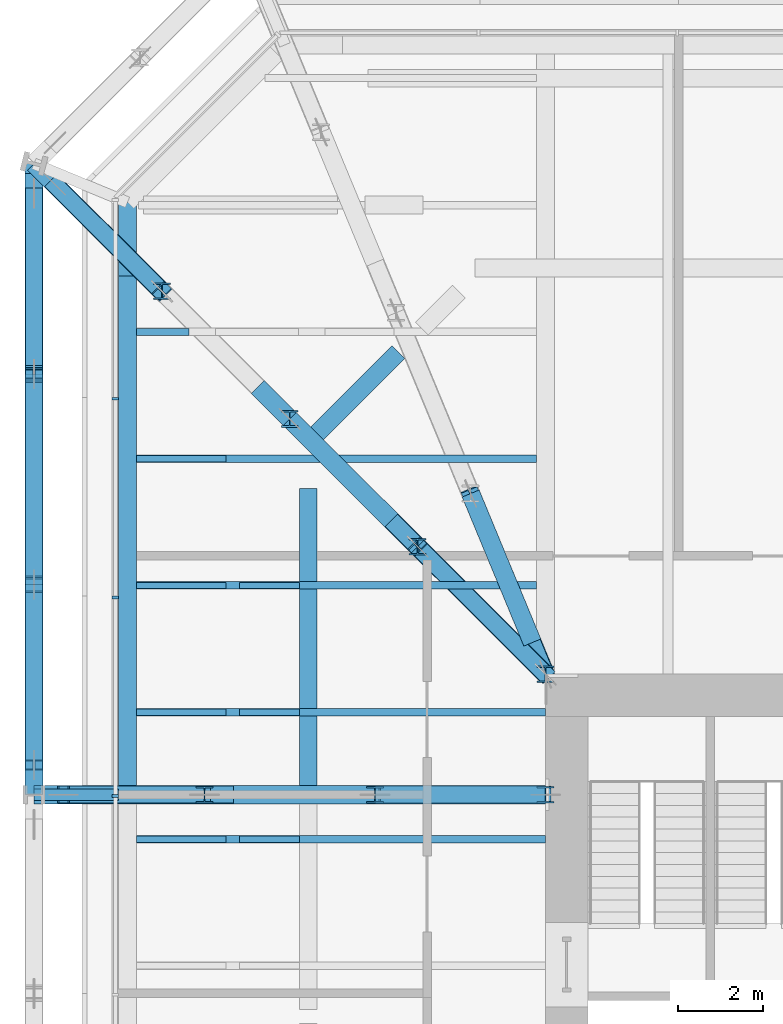
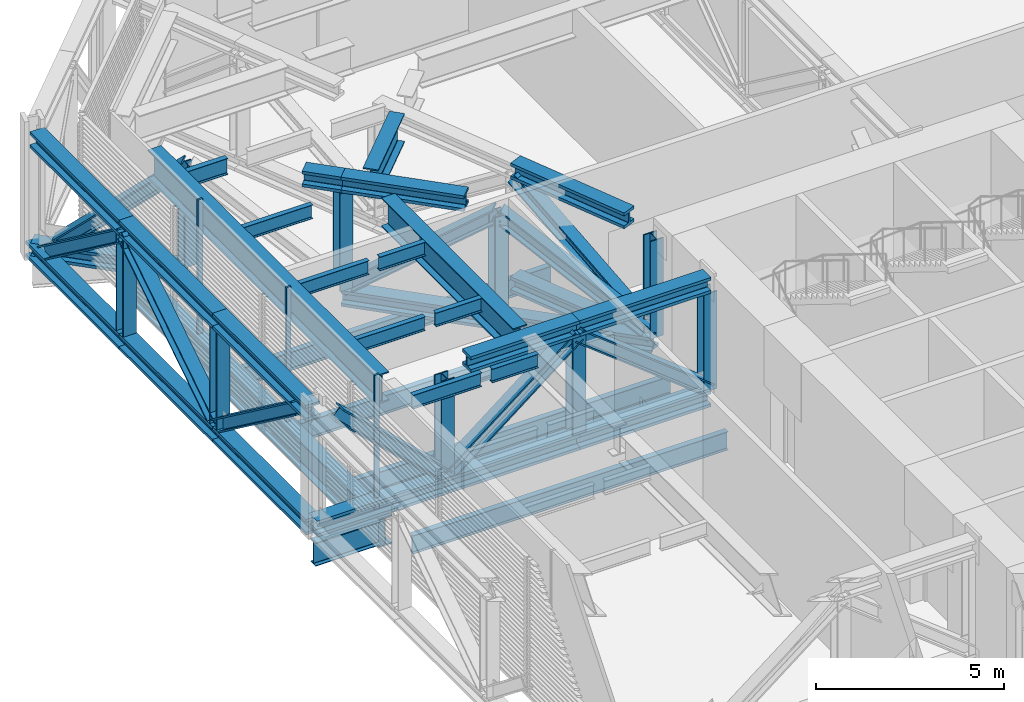
# One storey, part 14 of 33: 35 beams, 22 members, 1 element without a shape of its own.
"""IFC4 building model written with IfcOpenShell, lengths in metres."""

from ifc_helpers import new_model, si_unit, direction, frame, origin, origin_2d, place, context, subcontext, project, spatial, rectangle, i_section, extrude, material, layer, layer_set, material_profile, profile_set, type_object, element, aggregate, save


model = new_model("IFC4")

# Units and contexts
model_context = context("Model", 3, precision=1e-05, world=origin(), true_north=direction((0.0, 1.0)))
body_context = subcontext(model_context, "Body", "Model", "MODEL_VIEW")
ifc_project = project(units=[si_unit("LENGTHUNIT", "METRE"), si_unit("AREAUNIT", "SQUARE_METRE"), si_unit("VOLUMEUNIT", "CUBIC_METRE"), si_unit("PLANEANGLEUNIT", "RADIAN"), si_unit("MASSUNIT", "GRAM", prefix="KILO")], contexts=[model_context])

# Site, building, storey
site_placement = place(None, origin())
site = spatial("IfcSite", under=ifc_project, at=site_placement, CompositionType="ELEMENT")
building_placement = place(site_placement, origin())
building = spatial("IfcBuilding", under=site, at=building_placement, Name="Millrace Tower", CompositionType="ELEMENT")
storey_placement = place(building_placement, frame((0.0, 0.0, 64.10009765625)))
storey = spatial("IfcBuildingStorey", under=building, at=storey_placement, Name="L14", CompositionType="ELEMENT", Elevation=64.10009765625)

# Beams
ifc_material_1 = material(Name="Steel ASTM A992 Grade 50", Category="steel")
ifc_material_profile_1 = material_profile(ifc_material_1, i_section(OverallWidth=0.436767578125, OverallDepth=0.51318359375, WebThickness=0.060546875, FlangeThickness=0.096923828125, FilletRadius=0.01513671875, at=origin_2d()))
ifc_profile_set_1 = profile_set([ifc_material_profile_1], Name="Steel ASTM A992 Grade 50")
beam_type_1 = type_object("IfcBeamType", Name="Belt truss chord W14x550", PredefinedType="BEAM", material=ifc_profile_set_1)
beam_1_placement = place(storey_placement, frame((-27.0, 21.978515625, 0.25634765625), z_axis=(0.0, -1.0, 0.0), x_axis=(1.0, 0.0, 0.0)))
element("IfcBeam", 1, at=beam_1_placement, inside=storey, type_object=beam_type_1, Name="BLT-L14-R14-B01", PredefinedType="BEAM", context=body_context, shape_type="SweptSolid", body=[
    extrude(i_section(OverallWidth=0.436767578125, OverallDepth=0.51318359375, WebThickness=0.060546875, FlangeThickness=0.096923828125, FilletRadius=0.01513671875, at=origin_2d()), origin(), (0.0, 0.0, 1.0), 4.976318359375),
])
for number, where, z_axis, x_axis, name in (
    (2, (-27.0, 17.002197265625, 0.25634765625), (0.0, -1.0, 0.0), (1.0, 0.0, 0.0), "BLT-L14-R14-B02"),
    (3, (-27.0, 17.002197265625, 3.943359375), (0.0, -1.0, 0.0), (1.0, 0.0, 0.0), "BLT-L14-R14-T02"),
    (4, (-27.0, 12.026123046875, 0.25634765625), (0.0, -1.0, 0.0), (1.0, 0.0, 0.0), "BLT-L14-R14-B03"),
):
    element("IfcBeam", number, at=place(storey_placement, frame(where, z_axis=z_axis, x_axis=x_axis)), inside=storey, type_object=beam_type_1, Name=name, PredefinedType="BEAM", context=body_context, shape_type="SweptSolid", body=[
        extrude(i_section(OverallWidth=0.436767578125, OverallDepth=0.51318359375, WebThickness=0.060546875, FlangeThickness=0.096923828125, FilletRadius=0.01513671875, at=origin_2d()), origin(), (0.0, 0.0, 1.0), 4.97607421875),
    ])
beam_2_placement = place(storey_placement, frame((-27.0, 21.740234375, 3.943359375), z_axis=(0.0, -1.0, 0.0), x_axis=(1.0, 0.0, 0.0)))
element("IfcBeam", 5, at=beam_2_placement, inside=storey, type_object=beam_type_1, Name="BLT-L14-R14-T01", PredefinedType="BEAM", context=body_context, shape_type="SweptSolid", body=[
    extrude(i_section(OverallWidth=0.436767578125, OverallDepth=0.51318359375, WebThickness=0.060546875, FlangeThickness=0.096923828125, FilletRadius=0.01513671875, at=origin_2d()), origin(), (0.0, 0.0, 1.0), 4.738037109375),
])
beam_3_placement = place(storey_placement, frame((-27.0, 12.026123046875, 3.943359375), z_axis=(0.0, -1.0, 0.0), x_axis=(1.0, 0.0, 0.0)))
element("IfcBeam", 6, at=beam_3_placement, inside=storey, type_object=beam_type_1, Name="BLT-L14-R14-T03", PredefinedType="BEAM", context=body_context, shape_type="SweptSolid", body=[
    extrude(i_section(OverallWidth=0.436767578125, OverallDepth=0.51318359375, WebThickness=0.060546875, FlangeThickness=0.096923828125, FilletRadius=0.01513671875, at=origin_2d()), origin(), (0.0, 0.0, 1.0), 4.958740234375),
])

# Members
ifc_material_2 = material(Name="Steel ASTM A992 Grade 50", Category="steel")
ifc_material_profile_2 = material_profile(ifc_material_2, i_section(OverallWidth=0.40380859375, OverallDepth=0.406494140625, WebThickness=0.027099609375, FlangeThickness=0.043701171875, FilletRadius=0.01513671875, at=origin_2d()))
ifc_profile_set_2 = profile_set([ifc_material_profile_2], Name="Steel ASTM A992 Grade 50")
member_type_1 = type_object("IfcMemberType", Name="Belt truss diagonal W14x233", PredefinedType="BRACE", material=ifc_profile_set_2)
member_1_placement = place(storey_placement, frame((-27.0, 21.2783203125, 0.512939453125), z_axis=(0.0, -0.802988323282, 0.59599475893), x_axis=(1.0, 0.0, 0.0)))
element("IfcMember", 7, at=member_1_placement, inside=storey, type_object=member_type_1, Name="BLT-L14-R14-D01", PredefinedType="BRACE", context=body_context, shape_type="SweptSolid", body=[
    extrude(i_section(OverallWidth=0.40380859375, OverallDepth=0.406494140625, WebThickness=0.027099609375, FlangeThickness=0.043701171875, FilletRadius=0.01513671875, at=origin_2d()), origin(), (0.0, 0.0, 1.0), 5.3251953125),
])
member_2_placement = place(storey_placement, frame((-27.0, 12.026123046875, 0.512939453125), z_axis=(0.0, 0.843105769353, 0.537747767716), x_axis=(-1.0, 0.0, 0.0)))
element("IfcMember", 8, at=member_2_placement, inside=storey, type_object=member_type_1, Name="BLT-L14-R14-D02", PredefinedType="BRACE", context=body_context, shape_type="SweptSolid", body=[
    extrude(i_section(OverallWidth=0.40380859375, OverallDepth=0.406494140625, WebThickness=0.027099609375, FlangeThickness=0.043701171875, FilletRadius=0.01513671875, at=origin_2d()), origin(), (0.0, 0.0, 1.0), 5.902099609375),
])
member_3_placement = place(storey_placement, frame((-27.0, 12.026123046875, 0.512939453125), z_axis=(0.0, -0.802988323282, 0.59599475893), x_axis=(1.0, 0.0, 0.0)))
element("IfcMember", 9, at=member_3_placement, inside=storey, type_object=member_type_1, Name="BLT-L14-R14-D03", PredefinedType="BRACE", context=body_context, shape_type="SweptSolid", body=[
    extrude(i_section(OverallWidth=0.40380859375, OverallDepth=0.406494140625, WebThickness=0.027099609375, FlangeThickness=0.043701171875, FilletRadius=0.01513671875, at=origin_2d()), origin(), (0.0, 0.0, 1.0), 5.3251953125),
])
ifc_material_3 = material(Name="Steel ASTM A992 Grade 50", Category="steel")
ifc_material_profile_3 = material_profile(ifc_material_3, i_section(OverallWidth=0.398681640625, OverallDepth=0.393798828125, WebThickness=0.022705078125, FlangeThickness=0.03662109375, FilletRadius=0.01513671875, at=origin_2d()))
ifc_profile_set_3 = profile_set([ifc_material_profile_3], Name="Steel ASTM A992 Grade 50")
member_type_2 = type_object("IfcMemberType", Name="Belt truss post W14x193", PredefinedType="POST", material=ifc_profile_set_3)
for number, where, z_axis, x_axis, name in (
    (10, (-27.0, 17.002197265625, 0.512939453125), (0.0, 0.0, 1.0), (1.0, 0.0, 0.0), "BLT-L14-R14-V01"),
    (11, (-27.0, 12.026123046875, 0.512939453125), (0.0, 0.0, 1.0), (1.0, 0.0, 0.0), "BLT-L14-R14-V02"),
):
    element("IfcMember", number, at=place(storey_placement, frame(where, z_axis=z_axis, x_axis=x_axis)), inside=storey, type_object=member_type_2, Name=name, PredefinedType="POST", context=body_context, shape_type="SweptSolid", body=[
        extrude(i_section(OverallWidth=0.398681640625, OverallDepth=0.393798828125, WebThickness=0.022705078125, FlangeThickness=0.03662109375, FilletRadius=0.01513671875, at=origin_2d()), origin(), (0.0, 0.0, 1.0), 3.173828125),
    ])

# Curtain wall, members
ifc_material_4 = material(Name="Aluminium and glass", Category="aluminium")
ifc_layer = layer(ifc_material_4, 0.14990234375)
ifc_layer_set = layer_set([ifc_layer], Name="Aluminium and glass")
curtain_wall_type = type_object("IfcCurtainWallType", Name="CW-5 truss and plant storey louvred infill", PredefinedType="NOTDEFINED", material=ifc_layer_set)
curtain_wall_placement = place(storey_placement, origin())
curtain_wall = element("IfcCurtainWall", 12, at=curtain_wall_placement, inside=storey, type_object=curtain_wall_type, Name="Curtain wall A-F08 L14", PredefinedType="NOTDEFINED")
ifc_material_5 = material(Name="Aluminium", Category="aluminium")
ifc_material_profile_4 = material_profile(ifc_material_5, rectangle(XDim=0.06494140625, YDim=0.14990234375, at=origin_2d()))
ifc_profile_set_4 = profile_set([ifc_material_profile_4], Name="Aluminium")
member_type_3 = type_object("IfcMemberType", Name="CW-5 truss and plant storey louvred infill mullion", PredefinedType="MULLION", material=ifc_profile_set_4)
member_4_placement = place(storey_placement, frame((-25.074951171875, 16.41748046875, 0.139892578125), z_axis=(0.0, 0.0, 1.0), x_axis=(0.0, -1.0, 0.0)))
member_4 = element("IfcMember", 13, at=member_4_placement, type_object=member_type_3, Name="CW5 mullion A-F08.2", PredefinedType="MULLION", context=body_context, shape_type="SweptSolid", body=[
    extrude(rectangle(XDim=0.06494140625, YDim=0.14990234375, at=origin_2d()), origin(), (0.0, 0.0, 1.0), 4.360107421875),
])
member_5_placement = place(storey_placement, frame((-25.074951171875, 11.717529296875, 0.139892578125), z_axis=(0.0, 0.0, 1.0), x_axis=(0.0, -1.0, 0.0)))
member_5 = element("IfcMember", 14, at=member_5_placement, type_object=member_type_3, Name="CW5 mullion A-F08.3", PredefinedType="MULLION", context=body_context, shape_type="SweptSolid", body=[
    extrude(rectangle(XDim=0.06494140625, YDim=0.14990234375, at=origin_2d()), origin(), (0.0, 0.0, 1.0), 4.360107421875),
])
member_6_placement = place(storey_placement, frame((-25.074951171875, 7.017578125, 0.139892578125), z_axis=(0.0, 0.0, 1.0), x_axis=(0.0, -1.0, 0.0)))
member_6 = element("IfcMember", 15, at=member_6_placement, type_object=member_type_3, Name="CW5 mullion A-F08.4", PredefinedType="MULLION", context=body_context, shape_type="SweptSolid", body=[
    extrude(rectangle(XDim=0.06494140625, YDim=0.14990234375, at=origin_2d()), origin(), (0.0, 0.0, 1.0), 4.360107421875),
])
aggregate(curtain_wall, [member_4, member_5, member_6])

# Beams
ifc_material_6 = material(Name="Steel ASTM A992 Grade 50", Category="steel")
ifc_material_profile_5 = material_profile(ifc_material_6, i_section(OverallWidth=0.15234375, OverallDepth=0.449462890625, WebThickness=0.007568359375, FlangeThickness=0.0107421875, FilletRadius=0.01025390625, at=origin_2d()))
ifc_profile_set_5 = profile_set([ifc_material_profile_5], Name="Steel ASTM A992 Grade 50")
beam_type_2 = type_object("IfcBeamType", Name="Floor beam W18x35", PredefinedType="JOIST", material=ifc_profile_set_5)
beam_4_placement = place(storey_placement, frame((-24.578369140625, 6.0, 4.0751953125), z_axis=(1.0, 0.0, 0.0), x_axis=(0.0, 1.0, 0.0)))
element("IfcBeam", 16, at=beam_4_placement, inside=storey, type_object=beam_type_2, Name="BM-A-L14-R1-S011-a", PredefinedType="JOIST", context=body_context, shape_type="SweptSolid", body=[
    extrude(i_section(OverallWidth=0.15234375, OverallDepth=0.449462890625, WebThickness=0.007568359375, FlangeThickness=0.0107421875, FilletRadius=0.01025390625, at=origin_2d()), origin(), (0.0, 0.0, 1.0), 2.116943359375),
])
beam_5_placement = place(storey_placement, frame((-22.138427734375, 6.0, 4.0751953125), z_axis=(1.0, 0.0, 0.0), x_axis=(0.0, 1.0, 0.0)))
element("IfcBeam", 17, at=beam_5_placement, inside=storey, type_object=beam_type_2, Name="BM-A-L14-R1-S011-b", PredefinedType="JOIST", context=body_context, shape_type="SweptSolid", body=[
    extrude(i_section(OverallWidth=0.15234375, OverallDepth=0.449462890625, WebThickness=0.007568359375, FlangeThickness=0.0107421875, FilletRadius=0.01025390625, at=origin_2d()), origin(), (0.0, 0.0, 1.0), 1.416748046875),
])
beam_6_placement = place(storey_placement, frame((-24.578369140625, 9.0, 4.0751953125), z_axis=(1.0, 0.0, 0.0), x_axis=(0.0, 1.0, 0.0)))
element("IfcBeam", 18, at=beam_6_placement, inside=storey, type_object=beam_type_2, Name="BM-A-L14-R1-S012-a", PredefinedType="JOIST", context=body_context, shape_type="SweptSolid", body=[
    extrude(i_section(OverallWidth=0.15234375, OverallDepth=0.449462890625, WebThickness=0.007568359375, FlangeThickness=0.0107421875, FilletRadius=0.01025390625, at=origin_2d()), origin(), (0.0, 0.0, 1.0), 2.116943359375),
])
beam_7_placement = place(storey_placement, frame((-22.138427734375, 9.0, 4.0751953125), z_axis=(1.0, 0.0, 0.0), x_axis=(0.0, 1.0, 0.0)))
element("IfcBeam", 19, at=beam_7_placement, inside=storey, type_object=beam_type_2, Name="BM-A-L14-R1-S012-b", PredefinedType="JOIST", context=body_context, shape_type="SweptSolid", body=[
    extrude(i_section(OverallWidth=0.15234375, OverallDepth=0.449462890625, WebThickness=0.007568359375, FlangeThickness=0.0107421875, FilletRadius=0.01025390625, at=origin_2d()), origin(), (0.0, 0.0, 1.0), 1.416748046875),
])
beam_8_placement = place(storey_placement, frame((-24.578369140625, 12.0, 4.0751953125), z_axis=(1.0, 0.0, 0.0), x_axis=(0.0, 1.0, 0.0)))
element("IfcBeam", 20, at=beam_8_placement, inside=storey, type_object=beam_type_2, Name="BM-A-L14-R1-S013-a", PredefinedType="JOIST", context=body_context, shape_type="SweptSolid", body=[
    extrude(i_section(OverallWidth=0.15234375, OverallDepth=0.449462890625, WebThickness=0.007568359375, FlangeThickness=0.0107421875, FilletRadius=0.01025390625, at=origin_2d()), origin(), (0.0, 0.0, 1.0), 2.116943359375),
])
beam_9_placement = place(storey_placement, frame((-22.138427734375, 12.0, 4.0751953125), z_axis=(1.0, 0.0, 0.0), x_axis=(0.0, 1.0, 0.0)))
element("IfcBeam", 21, at=beam_9_placement, inside=storey, type_object=beam_type_2, Name="BM-A-L14-R1-S013-b", PredefinedType="JOIST", context=body_context, shape_type="SweptSolid", body=[
    extrude(i_section(OverallWidth=0.15234375, OverallDepth=0.449462890625, WebThickness=0.007568359375, FlangeThickness=0.0107421875, FilletRadius=0.01025390625, at=origin_2d()), origin(), (0.0, 0.0, 1.0), 1.416748046875),
])
beam_10_placement = place(storey_placement, frame((-24.578369140625, 15.0, 4.0751953125), z_axis=(1.0, 0.0, 0.0), x_axis=(0.0, 1.0, 0.0)))
element("IfcBeam", 22, at=beam_10_placement, inside=storey, type_object=beam_type_2, Name="BM-A-L14-R1-S014", PredefinedType="JOIST", context=body_context, shape_type="SweptSolid", body=[
    extrude(i_section(OverallWidth=0.15234375, OverallDepth=0.449462890625, WebThickness=0.007568359375, FlangeThickness=0.0107421875, FilletRadius=0.01025390625, at=origin_2d()), origin(), (0.0, 0.0, 1.0), 2.116943359375),
])
ifc_material_7 = material(Name="Steel ASTM A992 Grade 50", Category="steel")
ifc_material_profile_6 = material_profile(ifc_material_7, i_section(OverallWidth=0.1650390625, OverallDepth=0.52587890625, WebThickness=0.0087890625, FlangeThickness=0.011474609375, FilletRadius=0.0126953125, at=origin_2d()))
ifc_profile_set_6 = profile_set([ifc_material_profile_6], Name="Steel ASTM A992 Grade 50")
beam_type_3 = type_object("IfcBeamType", Name="Floor beam W21x44", PredefinedType="JOIST", material=ifc_profile_set_6)
beam_11_placement = place(storey_placement, frame((-24.578369140625, 18.0, 4.037109375), z_axis=(1.0, 0.0, 0.0), x_axis=(0.0, 1.0, 0.0)))
element("IfcBeam", 23, at=beam_11_placement, inside=storey, type_object=beam_type_3, Name="BM-A-L14-R1-S015-a", PredefinedType="JOIST", context=body_context, shape_type="SweptSolid", body=[
    extrude(i_section(OverallWidth=0.1650390625, OverallDepth=0.52587890625, WebThickness=0.0087890625, FlangeThickness=0.011474609375, FilletRadius=0.0126953125, at=origin_2d()), origin(), (0.0, 0.0, 1.0), 1.243896484375),
])
ifc_material_8 = material(Name="Steel ASTM A992 Grade 50", Category="steel")
ifc_material_profile_7 = material_profile(ifc_material_8, i_section(OverallWidth=0.177978515625, OverallDepth=0.599365234375, WebThickness=0.010009765625, FlangeThickness=0.012939453125, FilletRadius=0.012939453125, at=origin_2d()))
ifc_profile_set_7 = profile_set([ifc_material_profile_7], Name="Steel ASTM A992 Grade 50")
beam_type_4 = type_object("IfcBeamType", Name="Floor beam W24x55", PredefinedType="JOIST", material=ifc_profile_set_7)
for number, where, z_axis, x_axis, name in (
    (24, (-24.578369140625, 6.0, -0.5498046875), (1.0, 0.0, 0.0), (0.0, 1.0, 0.0), "BM-A-L14-S1-S027"),
    (25, (-24.578369140625, 9.0, -0.5498046875), (1.0, 0.0, 0.0), (0.0, 1.0, 0.0), "BM-A-L14-S1-S030"),
):
    element("IfcBeam", number, at=place(storey_placement, frame(where, z_axis=z_axis, x_axis=x_axis)), inside=storey, type_object=beam_type_4, Name=name, PredefinedType="JOIST", context=body_context, shape_type="SweptSolid", body=[
        extrude(i_section(OverallWidth=0.177978515625, OverallDepth=0.599365234375, WebThickness=0.010009765625, FlangeThickness=0.012939453125, FilletRadius=0.012939453125, at=origin_2d()), origin(), (0.0, 0.0, 1.0), 9.678466796875),
    ])
for number, where, z_axis, x_axis, name in (
    (26, (-24.578369140625, 12.0, -0.5498046875), (1.0, 0.0, 0.0), (0.0, 1.0, 0.0), "BM-A-L14-S1-S032"),
    (27, (-24.578369140625, 15.0, -0.5498046875), (1.0, 0.0, 0.0), (0.0, 1.0, 0.0), "BM-A-L14-S1-S034"),
):
    element("IfcBeam", number, at=place(storey_placement, frame(where, z_axis=z_axis, x_axis=x_axis)), inside=storey, type_object=beam_type_4, Name=name, PredefinedType="JOIST", context=body_context, shape_type="SweptSolid", body=[
        extrude(i_section(OverallWidth=0.177978515625, OverallDepth=0.599365234375, WebThickness=0.010009765625, FlangeThickness=0.012939453125, FilletRadius=0.012939453125, at=origin_2d()), origin(), (0.0, 0.0, 1.0), 9.46630859375),
    ])
ifc_material_9 = material(Name="Steel ASTM A992 Grade 50", Category="steel")
ifc_material_profile_8 = material_profile(ifc_material_9, i_section(OverallWidth=0.2666015625, OverallDepth=0.7568359375, WebThickness=0.013916015625, FlangeThickness=0.019287109375, FilletRadius=0.0166015625, at=origin_2d()))
ifc_profile_set_8 = profile_set([ifc_material_profile_8], Name="Steel ASTM A992 Grade 50")
beam_type_5 = type_object("IfcBeamType", Name="Link beam W30x108", PredefinedType="BEAM", material=ifc_profile_set_8)
beam_12_placement = place(storey_placement, frame((-25.0, 7.050048828125, -0.628662109375), z_axis=(-1.0, 0.0, 0.0), x_axis=(0.0, -1.0, 0.0)))
element("IfcBeam", 28, at=beam_12_placement, inside=storey, type_object=beam_type_5, Name="LNK-A-L14-S1-03", PredefinedType="BEAM", context=body_context, shape_type="SweptSolid", body=[
    extrude(i_section(OverallWidth=0.2666015625, OverallDepth=0.7568359375, WebThickness=0.013916015625, FlangeThickness=0.019287109375, FilletRadius=0.0166015625, at=origin_2d()), origin(), (0.0, 0.0, 1.0), 2.0),
])
ifc_material_10 = material(Name="Steel ASTM A992 Grade 50", Category="steel")
ifc_material_profile_9 = material_profile(ifc_material_10, i_section(OverallWidth=0.436767578125, OverallDepth=0.51318359375, WebThickness=0.060546875, FlangeThickness=0.096923828125, FilletRadius=0.01513671875, at=origin_2d()))
ifc_profile_set_9 = profile_set([ifc_material_profile_9], Name="Steel ASTM A992 Grade 50")
beam_type_6 = type_object("IfcBeamType", Name="Outrigger truss chord W14x550", PredefinedType="BEAM", material=ifc_profile_set_9)
beam_13_placement = place(storey_placement, frame((-14.89990234375, 9.89990234375, 0.25634765625), z_axis=(-0.382490047574, 0.923959611404, 0.0), x_axis=(-0.923959611404, -0.382490047574, 0.0)))
element("IfcBeam", 29, at=beam_13_placement, inside=storey, type_object=beam_type_6, Name="BLT-L14-O13-B01", PredefinedType="BEAM", context=body_context, shape_type="SweptSolid", body=[
    extrude(i_section(OverallWidth=0.436767578125, OverallDepth=0.51318359375, WebThickness=0.060546875, FlangeThickness=0.096923828125, FilletRadius=0.01513671875, at=origin_2d()), origin(), (0.0, 0.0, 1.0), 4.626953125),
])
beam_14_placement = place(storey_placement, frame((-14.89990234375, 9.89990234375, 0.25634765625), z_axis=(-0.707734787322, 0.706478216801, 0.0), x_axis=(-0.706478216801, -0.707734787322, 0.0)))
element("IfcBeam", 30, at=beam_14_placement, inside=storey, type_object=beam_type_6, Name="BLT-L14-O14-B01", PredefinedType="BEAM", context=body_context, shape_type="SweptSolid", body=[
    extrude(i_section(OverallWidth=0.436767578125, OverallDepth=0.51318359375, WebThickness=0.060546875, FlangeThickness=0.096923828125, FilletRadius=0.01513671875, at=origin_2d()), origin(), (0.0, 0.0, 1.0), 4.2744140625),
])
beam_15_placement = place(storey_placement, frame((-17.925048828125, 12.919677734375, 0.25634765625), z_axis=(-0.707734838031, 0.706478166002, 0.0), x_axis=(-0.706478166002, -0.707734838031, 0.0)))
element("IfcBeam", 31, at=beam_15_placement, inside=storey, type_object=beam_type_6, Name="BLT-L14-O14-B02", PredefinedType="BEAM", context=body_context, shape_type="SweptSolid", body=[
    extrude(i_section(OverallWidth=0.436767578125, OverallDepth=0.51318359375, WebThickness=0.060546875, FlangeThickness=0.096923828125, FilletRadius=0.01513671875, at=origin_2d()), origin(), (0.0, 0.0, 1.0), 4.274169921875),
])
beam_16_placement = place(storey_placement, frame((-18.54833984375, 13.5419921875, 3.943359375), z_axis=(-0.707754018108, 0.706458951286, 0.0), x_axis=(-0.706458951286, -0.707754018108, 0.0)))
element("IfcBeam", 32, at=beam_16_placement, inside=storey, type_object=beam_type_6, Name="BLT-L14-O14-T02", PredefinedType="BEAM", context=body_context, shape_type="SweptSolid", body=[
    extrude(i_section(OverallWidth=0.436767578125, OverallDepth=0.51318359375, WebThickness=0.060546875, FlangeThickness=0.096923828125, FilletRadius=0.01513671875, at=origin_2d()), origin(), (0.0, 0.0, 1.0), 3.393310546875),
])
beam_17_placement = place(storey_placement, frame((-23.97509765625, 18.958740234375, 0.25634765625), z_axis=(-0.707706277922, 0.706506775756, 0.0), x_axis=(-0.706506775756, -0.707706277922, 0.0)))
element("IfcBeam", 33, at=beam_17_placement, inside=storey, type_object=beam_type_6, Name="BLT-L14-O14-B04", PredefinedType="BEAM", context=body_context, shape_type="SweptSolid", body=[
    extrude(i_section(OverallWidth=0.436767578125, OverallDepth=0.51318359375, WebThickness=0.060546875, FlangeThickness=0.096923828125, FilletRadius=0.01513671875, at=origin_2d()), origin(), (0.0, 0.0, 1.0), 4.274169921875),
])
for number, where, z_axis, x_axis, name in (
    (34, (-14.89990234375, 7.050048828125, 0.25634765625), (-1.0, 0.0, 0.0), (0.0, -1.0, 0.0), "BLT-L14-O15-B01"),
    (35, (-14.89990234375, 7.050048828125, 3.943359375), (-1.0, 0.0, 0.0), (0.0, -1.0, 0.0), "BLT-L14-O15-T01"),
):
    element("IfcBeam", number, at=place(storey_placement, frame(where, z_axis=z_axis, x_axis=x_axis)), inside=storey, type_object=beam_type_6, Name=name, PredefinedType="BEAM", context=body_context, shape_type="SweptSolid", body=[
        extrude(i_section(OverallWidth=0.436767578125, OverallDepth=0.51318359375, WebThickness=0.060546875, FlangeThickness=0.096923828125, FilletRadius=0.01513671875, at=origin_2d()), origin(), (0.0, 0.0, 1.0), 4.033447265625),
    ])
beam_18_placement = place(storey_placement, frame((-18.933349609375, 7.050048828125, 0.25634765625), z_axis=(-1.0, 0.0, 0.0), x_axis=(0.0, -1.0, 0.0)))
element("IfcBeam", 36, at=beam_18_placement, inside=storey, type_object=beam_type_6, Name="BLT-L14-O15-B02", PredefinedType="BEAM", context=body_context, shape_type="SweptSolid", body=[
    extrude(i_section(OverallWidth=0.436767578125, OverallDepth=0.51318359375, WebThickness=0.060546875, FlangeThickness=0.096923828125, FilletRadius=0.01513671875, at=origin_2d()), origin(), (0.0, 0.0, 1.0), 4.033203125),
])
beam_19_placement = place(storey_placement, frame((-22.966552734375, 7.050048828125, 0.25634765625), z_axis=(-1.0, 0.0, 0.0), x_axis=(0.0, -1.0, 0.0)))
element("IfcBeam", 37, at=beam_19_placement, inside=storey, type_object=beam_type_6, Name="BLT-L14-O15-B03", PredefinedType="BEAM", context=body_context, shape_type="SweptSolid", body=[
    extrude(i_section(OverallWidth=0.436767578125, OverallDepth=0.51318359375, WebThickness=0.060546875, FlangeThickness=0.096923828125, FilletRadius=0.01513671875, at=origin_2d()), origin(), (0.0, 0.0, 1.0), 4.033447265625),
])
beam_20_placement = place(storey_placement, frame((-15.210693359375, 10.650390625, 3.943359375), z_axis=(-0.382464845952, 0.923970043676, 0.0), x_axis=(-0.923970043676, -0.382464845952, 0.0)))
element("IfcBeam", 38, at=beam_20_placement, inside=storey, type_object=beam_type_6, Name="BLT-L14-O13-T01", PredefinedType="BEAM", context=body_context, shape_type="SweptSolid", body=[
    extrude(i_section(OverallWidth=0.436767578125, OverallDepth=0.51318359375, WebThickness=0.060546875, FlangeThickness=0.096923828125, FilletRadius=0.01513671875, at=origin_2d()), origin(), (0.0, 0.0, 1.0), 3.814697265625),
])
beam_21_placement = place(storey_placement, frame((-20.949951171875, 15.939208984375, 3.943359375), z_axis=(-0.70779030587, 0.706422595134, 0.0), x_axis=(-0.706422595134, -0.70779030587, 0.0)))
element("IfcBeam", 39, at=beam_21_placement, inside=storey, type_object=beam_type_6, Name="BLT-L14-O14-T03", PredefinedType="BEAM", context=body_context, shape_type="SweptSolid", body=[
    extrude(i_section(OverallWidth=0.436767578125, OverallDepth=0.51318359375, WebThickness=0.060546875, FlangeThickness=0.096923828125, FilletRadius=0.01513671875, at=origin_2d()), origin(), (0.0, 0.0, 1.0), 1.071044921875),
])
beam_22_placement = place(storey_placement, frame((-18.933349609375, 7.050048828125, 3.943359375), z_axis=(-1.0, 0.0, 0.0), x_axis=(0.0, -1.0, 0.0)))
element("IfcBeam", 40, at=beam_22_placement, inside=storey, type_object=beam_type_6, Name="BLT-L14-O15-T02", PredefinedType="BEAM", context=body_context, shape_type="SweptSolid", body=[
    extrude(i_section(OverallWidth=0.436767578125, OverallDepth=0.51318359375, WebThickness=0.060546875, FlangeThickness=0.096923828125, FilletRadius=0.01513671875, at=origin_2d()), origin(), (0.0, 0.0, 1.0), 3.349365234375),
])

# Members
ifc_material_11 = material(Name="Steel ASTM A992 Grade 50", Category="steel")
ifc_material_profile_10 = material_profile(ifc_material_11, i_section(OverallWidth=0.40380859375, OverallDepth=0.406494140625, WebThickness=0.027099609375, FlangeThickness=0.043701171875, FilletRadius=0.01513671875, at=origin_2d()))
ifc_profile_set_10 = profile_set([ifc_material_profile_10], Name="Steel ASTM A992 Grade 50")
member_type_4 = type_object("IfcMemberType", Name="Outrigger truss diagonal W14x233", PredefinedType="BRACE", material=ifc_profile_set_10)
member_7_placement = place(storey_placement, frame((-14.89990234375, 9.89990234375, 0.512939453125), z_axis=(-0.315417539881, 0.761936341683, 0.56565429969), x_axis=(-0.923959611404, -0.382490047574, 0.0)))
element("IfcMember", 41, at=member_7_placement, inside=storey, type_object=member_type_4, Name="BLT-L14-O13-D01", PredefinedType="BRACE", context=body_context, shape_type="SweptSolid", body=[
    extrude(i_section(OverallWidth=0.40380859375, OverallDepth=0.406494140625, WebThickness=0.027099609375, FlangeThickness=0.043701171875, FilletRadius=0.01513671875, at=origin_2d()), origin(), (0.0, 0.0, 1.0), 5.61083984375),
])
member_8_placement = place(storey_placement, frame((-14.89990234375, 9.89990234375, 0.512939453125), z_axis=(-0.568221724835, 0.567212857274, 0.596149013224), x_axis=(-0.706478216801, -0.707734787322, 0.0)))
element("IfcMember", 42, at=member_8_placement, inside=storey, type_object=member_type_4, Name="BLT-L14-O14-D01", PredefinedType="BRACE", context=body_context, shape_type="SweptSolid", body=[
    extrude(i_section(OverallWidth=0.40380859375, OverallDepth=0.406494140625, WebThickness=0.027099609375, FlangeThickness=0.043701171875, FilletRadius=0.01513671875, at=origin_2d()), origin(), (0.0, 0.0, 1.0), 5.323974609375),
])
member_9_placement = place(storey_placement, frame((-20.949951171875, 15.939208984375, 0.512939453125), z_axis=(0.568205452299, -0.567196532207, 0.596180054874), x_axis=(0.706478166002, 0.707734838031, 0.0)))
element("IfcMember", 43, at=member_9_placement, inside=storey, type_object=member_type_4, Name="BLT-L14-O14-D02", PredefinedType="BRACE", context=body_context, shape_type="SweptSolid", body=[
    extrude(i_section(OverallWidth=0.40380859375, OverallDepth=0.406494140625, WebThickness=0.027099609375, FlangeThickness=0.043701171875, FilletRadius=0.01513671875, at=origin_2d()), origin(), (0.0, 0.0, 1.0), 5.323486328125),
])
member_10_placement = place(storey_placement, frame((-26.504638671875, 21.48388671875, 0.512939453125), z_axis=(0.529195836994, -0.52827647351, 0.663984739014), x_axis=(0.706491757517, 0.707721270389, 0.0)))
element("IfcMember", 44, at=member_10_placement, inside=storey, type_object=member_type_4, Name="BLT-L14-O14-D04", PredefinedType="BRACE", context=body_context, shape_type="SweptSolid", body=[
    extrude(i_section(OverallWidth=0.40380859375, OverallDepth=0.406494140625, WebThickness=0.027099609375, FlangeThickness=0.043701171875, FilletRadius=0.01513671875, at=origin_2d()), origin(), (0.0, 0.0, 1.0), 4.780029296875),
])
for number, where, z_axis, x_axis, name in (
    (45, (-14.89990234375, 7.050048828125, 0.512939453125), (-0.785874115932, 0.0, 0.618386508511), (0.0, -1.0, 0.0), "BLT-L14-O15-D01"),
    (46, (-22.966552734375, 7.050048828125, 0.512939453125), (0.785855924746, 0.0, 0.61840962601), (0.0, 1.0, 0.0), "BLT-L14-O15-D02"),
):
    element("IfcMember", number, at=place(storey_placement, frame(where, z_axis=z_axis, x_axis=x_axis)), inside=storey, type_object=member_type_4, Name=name, PredefinedType="BRACE", context=body_context, shape_type="SweptSolid", body=[
        extrude(i_section(OverallWidth=0.40380859375, OverallDepth=0.406494140625, WebThickness=0.027099609375, FlangeThickness=0.043701171875, FilletRadius=0.01513671875, at=origin_2d()), origin(), (0.0, 0.0, 1.0), 5.13232421875),
    ])
member_11_placement = place(storey_placement, frame((-22.966552734375, 7.050048828125, 0.512939453125), z_axis=(-0.724238835999, 0.0, 0.689549206678), x_axis=(0.0, -1.0, 0.0)))
element("IfcMember", 47, at=member_11_placement, inside=storey, type_object=member_type_4, Name="BLT-L14-O15-D03", PredefinedType="BRACE", context=body_context, shape_type="SweptSolid", body=[
    extrude(i_section(OverallWidth=0.40380859375, OverallDepth=0.406494140625, WebThickness=0.027099609375, FlangeThickness=0.043701171875, FilletRadius=0.01513671875, at=origin_2d()), origin(), (0.0, 0.0, 1.0), 4.602783203125),
])
ifc_material_12 = material(Name="Steel ASTM A992 Grade 50", Category="steel")
ifc_material_profile_11 = material_profile(ifc_material_12, i_section(OverallWidth=0.398681640625, OverallDepth=0.393798828125, WebThickness=0.022705078125, FlangeThickness=0.03662109375, FilletRadius=0.01513671875, at=origin_2d()))
ifc_profile_set_11 = profile_set([ifc_material_profile_11], Name="Steel ASTM A992 Grade 50")
member_type_5 = type_object("IfcMemberType", Name="Outrigger truss post W14x193", PredefinedType="POST", material=ifc_profile_set_11)
for number, where, z_axis, x_axis, name in (
    (48, (-14.89990234375, 9.89990234375, 0.512939453125), (0.0, 0.0, 1.0), (1.0, 0.0, 0.0), "BLT-L14-O13-V00"),
    (49, (-17.925048828125, 12.919677734375, 0.512939453125), (0.0, 0.0, 1.0), (1.0, 0.0, 0.0), "BLT-L14-O14-V01"),
    (50, (-20.949951171875, 15.939208984375, 0.512939453125), (0.0, 0.0, 1.0), (1.0, 0.0, 0.0), "BLT-L14-O14-V02"),
    (51, (-23.97509765625, 18.958740234375, 0.512939453125), (0.0, 0.0, 1.0), (1.0, 0.0, 0.0), "BLT-L14-O14-V03"),
    (52, (-14.89990234375, 7.050048828125, 0.512939453125), (0.0, 0.0, 1.0), (1.0, 0.0, 0.0), "BLT-L14-O15-V00"),
    (53, (-18.933349609375, 7.050048828125, 0.512939453125), (0.0, 0.0, 1.0), (1.0, 0.0, 0.0), "BLT-L14-O15-V01"),
    (54, (-22.966552734375, 7.050048828125, 0.512939453125), (0.0, 0.0, 1.0), (1.0, 0.0, 0.0), "BLT-L14-O15-V02"),
):
    element("IfcMember", number, at=place(storey_placement, frame(where, z_axis=z_axis, x_axis=x_axis)), inside=storey, type_object=member_type_5, Name=name, PredefinedType="POST", context=body_context, shape_type="SweptSolid", body=[
        extrude(i_section(OverallWidth=0.398681640625, OverallDepth=0.393798828125, WebThickness=0.022705078125, FlangeThickness=0.03662109375, FilletRadius=0.01513671875, at=origin_2d()), origin(), (0.0, 0.0, 1.0), 3.173828125),
    ])

# Beams
ifc_material_13 = material(Name="Steel ASTM A992 Grade 50", Category="steel")
ifc_material_profile_12 = material_profile(ifc_material_13, i_section(OverallWidth=0.421630859375, OverallDepth=0.937255859375, WebThickness=0.021240234375, FlangeThickness=0.03662109375, FilletRadius=0.024169921875, at=origin_2d()))
ifc_profile_set_12 = profile_set([ifc_material_profile_12], Name="Steel ASTM A992 Grade 50")
beam_type_7 = type_object("IfcBeamType", Name="Ring beam medium span W36x262", PredefinedType="SPANDREL", material=ifc_profile_set_12)
beam_23_placement = place(storey_placement, frame((-24.7890625, 7.050048828125, -0.71875), z_axis=(0.0, 1.0, 0.0), x_axis=(-1.0, 0.0, 0.0)))
element("IfcBeam", 55, at=beam_23_placement, inside=storey, type_object=beam_type_7, Name="RNG-A-L14-S1-03", PredefinedType="SPANDREL", context=body_context, shape_type="SweptSolid", body=[
    extrude(i_section(OverallWidth=0.421630859375, OverallDepth=0.937255859375, WebThickness=0.021240234375, FlangeThickness=0.03662109375, FilletRadius=0.024169921875, at=origin_2d()), origin(), (0.0, 0.0, 1.0), 14.0126953125),
])
beam_24_placement = place(storey_placement, frame((-24.7890625, 7.211181640625, 3.831298828125), z_axis=(0.0, 1.0, 0.0), x_axis=(-1.0, 0.0, 0.0)))
element("IfcBeam", 56, at=beam_24_placement, inside=storey, type_object=beam_type_7, Name="RNG-A-L14-R1-04", PredefinedType="SPANDREL", context=body_context, shape_type="SweptSolid", body=[
    extrude(i_section(OverallWidth=0.421630859375, OverallDepth=0.937255859375, WebThickness=0.021240234375, FlangeThickness=0.03662109375, FilletRadius=0.024169921875, at=origin_2d()), origin(), (0.0, 0.0, 1.0), 12.11376953125),
])
ifc_material_14 = material(Name="Steel ASTM A992 Grade 50", Category="steel")
ifc_material_profile_13 = material_profile(ifc_material_14, i_section(OverallWidth=0.421630859375, OverallDepth=0.937255859375, WebThickness=0.021240234375, FlangeThickness=0.03662109375, FilletRadius=0.024169921875, at=origin_2d()))
ifc_profile_set_13 = profile_set([ifc_material_profile_13], Name="Steel ASTM A992 Grade 50")
beam_type_8 = type_object("IfcBeamType", Name="Ring beam short span W36x262", PredefinedType="SPANDREL", material=ifc_profile_set_13)
beam_25_placement = place(storey_placement, frame((-18.378662109375, 17.51953125, 3.831298828125), z_axis=(-0.707106781187, -0.707106781187, 0.0), x_axis=(0.707106781187, -0.707106781187, 0.0)))
element("IfcBeam", 57, at=beam_25_placement, inside=storey, type_object=beam_type_8, Name="RNG-A-L14-R1-12-b", PredefinedType="SPANDREL", context=body_context, shape_type="SweptSolid", body=[
    extrude(i_section(OverallWidth=0.421630859375, OverallDepth=0.937255859375, WebThickness=0.021240234375, FlangeThickness=0.03662109375, FilletRadius=0.024169921875, at=origin_2d()), origin(), (0.0, 0.0, 1.0), 2.716552734375),
])
beam_26_placement = place(storey_placement, frame((-20.5107421875, 14.291748046875, 3.831298828125), z_axis=(0.0, -1.0, 0.0), x_axis=(1.0, 0.0, 0.0)))
element("IfcBeam", 58, at=beam_26_placement, inside=storey, type_object=beam_type_8, Name="RNG-A-L14-R1-13-a-a", PredefinedType="SPANDREL", context=body_context, shape_type="SweptSolid", body=[
    extrude(i_section(OverallWidth=0.421630859375, OverallDepth=0.937255859375, WebThickness=0.021240234375, FlangeThickness=0.03662109375, FilletRadius=0.024169921875, at=origin_2d()), origin(), (0.0, 0.0, 1.0), 7.0205078125),
])

save(model, "model.ifc")
